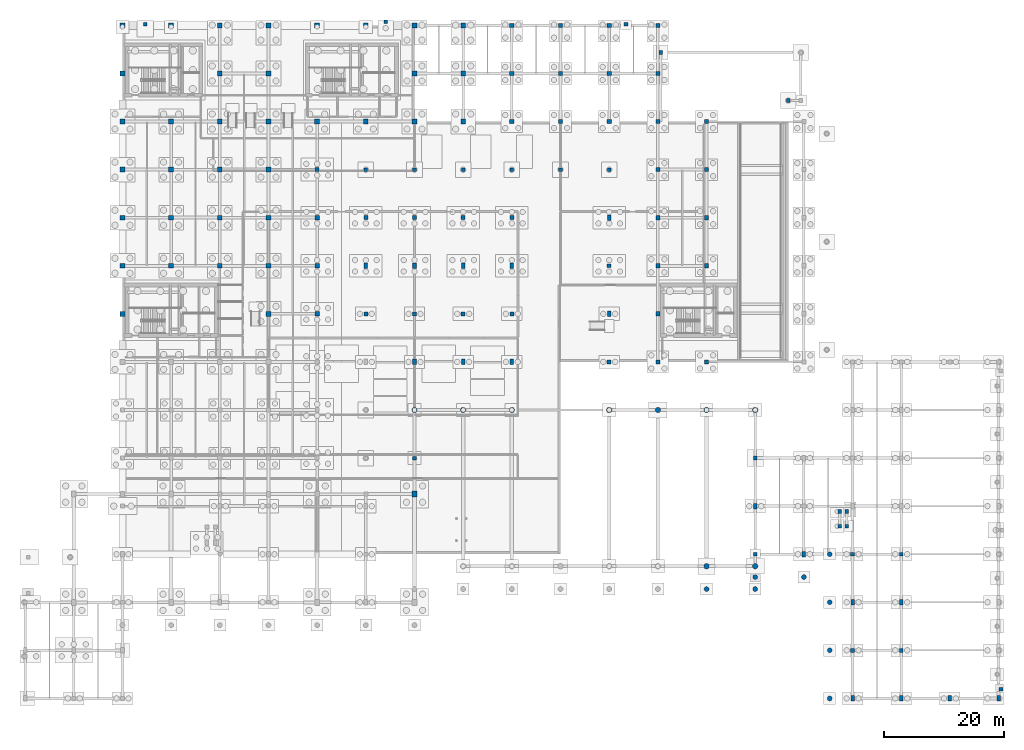
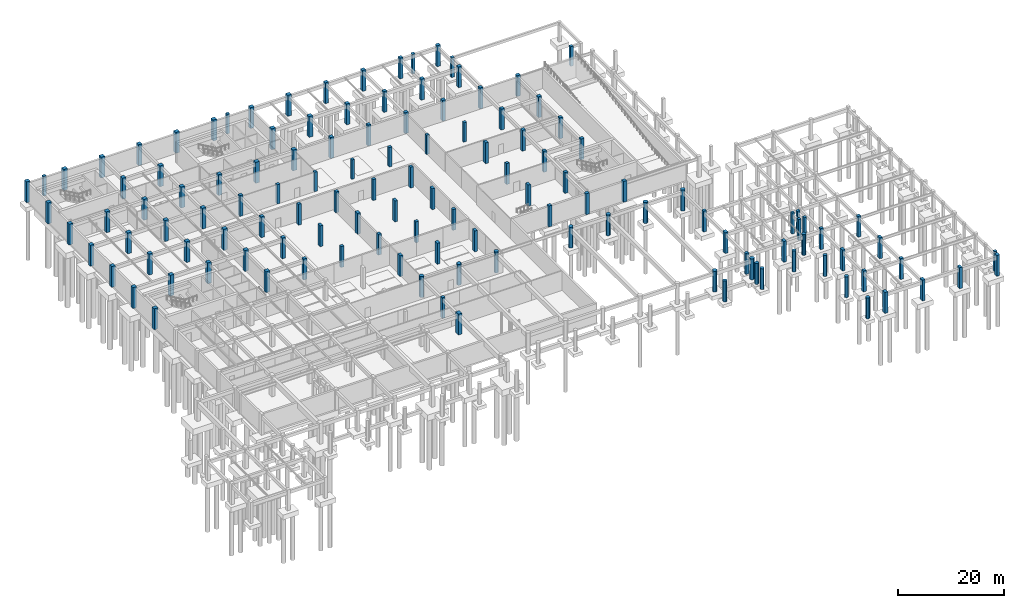
# One storey, part 9 of 25: 129 columns.
"""IFC4 building model written with IfcOpenShell, lengths in metres."""

from ifc_helpers import new_model, si_unit, direction, frame, origin, origin_2d, place, context, subcontext, project, spatial, rectangle, circle, extrude, material, material_profile, profile_set, type_object, element, save


model = new_model("IFC4")

# Units and contexts
model_context = context("Model", 3, precision=1e-05, world=origin(), true_north=direction((0.0, 1.0)))
body_context = subcontext(model_context, "Body", "Model", "MODEL_VIEW")
ifc_project = project(units=[si_unit("LENGTHUNIT", "METRE"), si_unit("AREAUNIT", "SQUARE_METRE"), si_unit("VOLUMEUNIT", "CUBIC_METRE"), si_unit("PLANEANGLEUNIT", "RADIAN"), si_unit("MASSUNIT", "GRAM", prefix="KILO")], contexts=[model_context])

# Site, building, storey
site_placement = place(None, origin())
site = spatial("IfcSite", under=ifc_project, at=site_placement, CompositionType="ELEMENT")
building_placement = place(site_placement, origin())
building = spatial("IfcBuilding", under=site, at=building_placement, Name="Tarnveldt Square Police Headquarters", CompositionType="ELEMENT")
storey_placement = place(building_placement, frame((0.0, 0.0, -4.800048828125)))
storey = spatial("IfcBuildingStorey", under=building, at=storey_placement, Name="B1", CompositionType="ELEMENT", Elevation=-4.800048828125)

# Columns
ifc_material_1 = material(Name="Concrete 40 MPa", Category="concrete")
ifc_material_profile_1 = material_profile(ifc_material_1, circle(Radius=0.39990234375, at=origin_2d()), Name="RC-D800")
ifc_profile_set_1 = profile_set([ifc_material_profile_1], Name="Concrete 40 MPa")
column_type_1 = type_object("IfcColumnType", Name="COL-D800", PredefinedType="COLUMN", material=ifc_profile_set_1)
for number, where, z_axis, x_axis, name in (
    (1, (113.39990234375, 18.199951171875, 0.0), (0.0, 0.0, 1.0), (1.0, 0.0, 0.0), "Colonnade Foundation Pier 14"),
    (2, (121.5, 18.199951171875, 0.0), (0.0, 0.0, 1.0), (1.0, 0.0, 0.0), "Colonnade Foundation Pier 15"),
    (3, (121.5, 20.199951171875, 0.0), (0.0, 0.0, 1.0), (1.0, 0.0, 0.0), "Colonnade Foundation Pier 16"),
    (4, (129.60009765625, 20.199951171875, 0.0), (0.0, 0.0, 1.0), (1.0, 0.0, 0.0), "Colonnade Foundation Pier 17"),
    (5, (133.89990234375, 0.0, 0.0), (0.0, 0.0, 1.0), (1.0, 0.0, 0.0), "Colonnade Foundation Pier 18"),
    (6, (133.89990234375, 8.0, 0.0), (0.0, 0.0, 1.0), (1.0, 0.0, 0.0), "Colonnade Foundation Pier 19"),
    (7, (133.89990234375, 16.0, 0.0), (0.0, 0.0, 1.0), (1.0, 0.0, 0.0), "Colonnade Foundation Pier 20"),
    (8, (133.89990234375, 24.0, 0.0), (0.0, 0.0, 1.0), (1.0, 0.0, 0.0), "Colonnade Foundation Pier 21"),
):
    element("IfcColumn", number, at=place(storey_placement, frame(where, z_axis=z_axis, x_axis=x_axis)), inside=storey, type_object=column_type_1, Name=name, PredefinedType="COLUMN", context=body_context, shape_type="SweptSolid", body=[
        extrude(circle(Radius=0.39990234375, at=origin_2d()), origin(), (0.0, 0.0, 1.0), 4.800048828125),
    ])
ifc_material_2 = material(Name="Concrete 50 MPa", Category="concrete")
ifc_material_profile_2 = material_profile(ifc_material_2, circle(Radius=0.449951171875, at=origin_2d()), Name="RC-D900")
ifc_profile_set_2 = profile_set([ifc_material_profile_2], Name="Concrete 50 MPa")
column_type_2 = type_object("IfcColumnType", Name="COL-D900", PredefinedType="COLUMN", material=ifc_profile_set_2)
for number, where, z_axis, x_axis, name in (
    (9, (64.800048828125, 48.0, 0.0), (0.0, 0.0, 1.0), (1.0, 0.0, 0.0), "B1 Column 098"),
    (10, (72.89990234375, 48.0, 0.0), (0.0, 0.0, 1.0), (1.0, 0.0, 0.0), "B1 Column 108"),
    (11, (81.0, 48.0, 0.0), (0.0, 0.0, 1.0), (1.0, 0.0, 0.0), "B1 Column 118"),
    (12, (97.199951171875, 48.0, 0.0), (0.0, 0.0, 1.0), (1.0, 0.0, 0.0), "B1 Column 133"),
    (13, (105.300048828125, 48.0, 0.0), (0.0, 0.0, 1.0), (1.0, 0.0, 0.0), "B1 Column 144"),
    (14, (113.39990234375, 22.0, 0.0), (0.0, 0.0, 1.0), (1.0, 0.0, 0.0), "B1 Column 154"),
    (15, (113.39990234375, 48.0, 0.0), (0.0, 0.0, 1.0), (1.0, 0.0, 0.0), "B1 Column 155"),
    (16, (121.5, 22.0, 0.0), (0.0, 0.0, 1.0), (1.0, 0.0, 0.0), "B1 Column 161"),
    (17, (121.5, 48.0, 0.0), (0.0, 0.0, 1.0), (1.0, 0.0, 0.0), "B1 Column 165"),
):
    element("IfcColumn", number, at=place(storey_placement, frame(where, z_axis=z_axis, x_axis=x_axis)), inside=storey, type_object=column_type_2, Name=name, PredefinedType="COLUMN", context=body_context, shape_type="SweptSolid", body=[
        extrude(circle(Radius=0.449951171875, at=origin_2d()), origin(), (0.0, 0.0, 1.0), 4.800048828125),
    ])
ifc_material_profile_3 = material_profile(ifc_material_1, rectangle(XDim=0.60009765625, YDim=0.60009765625, at=origin_2d()), Name="RC-C600x600")
ifc_profile_set_3 = profile_set([ifc_material_profile_3], Name="Concrete 40 MPa")
column_type_3 = type_object("IfcColumnType", Name="COL-RC600", PredefinedType="COLUMN", material=ifc_profile_set_3)
column_1_placement = place(storey_placement, frame((20.0, 112.199951171875, 0.0), z_axis=(0.0, 0.0, 1.0), x_axis=(1.0, 0.0, 0.0)))
element("IfcColumn", 18, at=column_1_placement, inside=storey, type_object=column_type_3, Name="B1 Column 028", PredefinedType="COLUMN", context=body_context, shape_type="SweptSolid", body=[
    extrude(rectangle(XDim=0.60009765625, YDim=0.60009765625, at=origin_2d()), origin(), (0.0, 0.0, 1.0), 4.510009765625),
])
column_2_placement = place(storey_placement, frame((56.699951171875, 88.0, 0.0), z_axis=(0.0, 0.0, 1.0), x_axis=(1.0, 0.0, 0.0)))
element("IfcColumn", 19, at=column_2_placement, inside=storey, type_object=column_type_3, Name="B1 Column 091", PredefinedType="COLUMN", context=body_context, shape_type="SweptSolid", body=[
    extrude(rectangle(XDim=0.60009765625, YDim=0.60009765625, at=origin_2d()), origin(), (0.0, 0.0, 1.0), 4.449951171875),
])
column_3_placement = place(storey_placement, frame((60.0, 112.60009765625, 0.0), z_axis=(0.0, 0.0, 1.0), x_axis=(1.0, 0.0, 0.0)))
element("IfcColumn", 20, at=column_3_placement, inside=storey, type_object=column_type_3, Name="B1 Column 094", PredefinedType="COLUMN", context=body_context, shape_type="SweptSolid", body=[
    extrude(rectangle(XDim=0.60009765625, YDim=0.60009765625, at=origin_2d()), origin(), (0.0, 0.0, 1.0), 4.510009765625),
])
column_4_placement = place(storey_placement, frame((64.800048828125, 40.0, 0.0), z_axis=(0.0, 0.0, 1.0), x_axis=(1.0, 0.0, 0.0)))
element("IfcColumn", 21, at=column_4_placement, inside=storey, type_object=column_type_3, Name="B1 Column 097", PredefinedType="COLUMN", context=body_context, shape_type="SweptSolid", body=[
    extrude(rectangle(XDim=0.60009765625, YDim=0.60009765625, at=origin_2d()), origin(), (0.0, 0.0, 1.0), 4.800048828125),
])
for number, where, z_axis, x_axis, name in (
    (22, (64.800048828125, 88.0, 0.0), (0.0, 0.0, 1.0), (1.0, 0.0, 0.0), "B1 Column 103"),
    (23, (72.89990234375, 88.0, 0.0), (0.0, 0.0, 1.0), (1.0, 0.0, 0.0), "B1 Column 113"),
    (24, (81.0, 88.0, 0.0), (0.0, 0.0, 1.0), (1.0, 0.0, 0.0), "B1 Column 123"),
    (25, (89.10009765625, 88.0, 0.0), (0.0, 0.0, 1.0), (1.0, 0.0, 0.0), "B1 Column 128"),
    (26, (97.199951171875, 88.0, 0.0), (0.0, 0.0, 1.0), (1.0, 0.0, 0.0), "B1 Column 138"),
):
    element("IfcColumn", number, at=place(storey_placement, frame(where, z_axis=z_axis, x_axis=x_axis)), inside=storey, type_object=column_type_3, Name=name, PredefinedType="COLUMN", context=body_context, shape_type="SweptSolid", body=[
        extrude(rectangle(XDim=0.60009765625, YDim=0.60009765625, at=origin_2d()), origin(), (0.0, 0.0, 1.0), 4.449951171875),
    ])
for number, where, z_axis, x_axis, name in (
    (27, (100.0, 112.199951171875, 0.0), (0.0, 0.0, 1.0), (1.0, 0.0, 0.0), "B1 Column 142"),
    (28, (105.800048828125, 107.5, 0.0), (0.0, 0.0, 1.0), (1.0, 0.0, 0.0), "B1 Column 153"),
    (29, (127.0, 99.5, 0.0), (0.0, 0.0, 1.0), (1.0, 0.0, 0.0), "B1 Column 166"),
):
    element("IfcColumn", number, at=place(storey_placement, frame(where, z_axis=z_axis, x_axis=x_axis)), inside=storey, type_object=column_type_3, Name=name, PredefinedType="COLUMN", context=body_context, shape_type="SweptSolid", body=[
        extrude(rectangle(XDim=0.60009765625, YDim=0.60009765625, at=origin_2d()), origin(), (0.0, 0.0, 1.0), 4.510009765625),
    ])
for number, where, z_axis, x_axis, name in (
    (30, (135.550048828125, 28.679931640625, 0.0), (0.0, 0.0, 1.0), (1.0, 0.0, 0.0), "B1 Column 181"),
    (31, (135.550048828125, 31.10009765625, 0.0), (0.0, 0.0, 1.0), (1.0, 0.0, 0.0), "B1 Column 182"),
    (32, (136.75, 28.679931640625, 0.0), (0.0, 0.0, 1.0), (1.0, 0.0, 0.0), "B1 Column 183"),
    (33, (136.75, 31.10009765625, 0.0), (0.0, 0.0, 1.0), (1.0, 0.0, 0.0), "B1 Column 184"),
):
    element("IfcColumn", number, at=place(storey_placement, frame(where, z_axis=z_axis, x_axis=x_axis)), inside=storey, type_object=column_type_3, Name=name, PredefinedType="COLUMN", context=body_context, shape_type="SweptSolid", body=[
        extrude(rectangle(XDim=0.60009765625, YDim=0.60009765625, at=origin_2d()), origin(), (0.0, 0.0, 1.0), 4.800048828125),
    ])
column_5_placement = place(storey_placement, frame((162.39990234375, 1.5, 0.0), z_axis=(0.0, 0.0, 1.0), x_axis=(1.0, 0.0, 0.0)))
element("IfcColumn", 34, at=column_5_placement, inside=storey, type_object=column_type_3, Name="B1 Column 211", PredefinedType="COLUMN", context=body_context, shape_type="SweptSolid", body=[
    extrude(rectangle(XDim=0.60009765625, YDim=0.60009765625, at=origin_2d()), origin(), (0.0, 0.0, 1.0), 4.510009765625),
])
ifc_material_profile_4 = material_profile(ifc_material_2, rectangle(XDim=0.60009765625, YDim=0.89990234375, at=origin_2d()), Name="RC-C600x900")
ifc_profile_set_4 = profile_set([ifc_material_profile_4], Name="Concrete 50 MPa")
column_type_4 = type_object("IfcColumnType", Name="COL-RC600x900", PredefinedType="COLUMN", material=ifc_profile_set_4)
for number, where, z_axis, x_axis, name in (
    (35, (56.699951171875, 72.0, 0.0), (0.0, 0.0, 1.0), (1.0, 0.0, 0.0), "B1 Column 089"),
    (36, (64.800048828125, 56.0, 0.0), (0.0, 0.0, 1.0), (1.0, 0.0, 0.0), "B1 Column 099"),
    (37, (64.800048828125, 72.0, 0.0), (0.0, 0.0, 1.0), (1.0, 0.0, 0.0), "B1 Column 101"),
    (38, (72.89990234375, 56.0, 0.0), (0.0, 0.0, 1.0), (1.0, 0.0, 0.0), "B1 Column 109"),
    (39, (72.89990234375, 72.0, 0.0), (0.0, 0.0, 1.0), (1.0, 0.0, 0.0), "B1 Column 111"),
    (40, (81.0, 56.0, 0.0), (0.0, 0.0, 1.0), (1.0, 0.0, 0.0), "B1 Column 119"),
    (41, (81.0, 72.0, 0.0), (0.0, 0.0, 1.0), (1.0, 0.0, 0.0), "B1 Column 121"),
    (42, (97.199951171875, 64.0, 0.0), (0.0, 0.0, 1.0), (1.0, 0.0, 0.0), "B1 Column 135"),
    (43, (97.199951171875, 80.0, 0.0), (0.0, 0.0, 1.0), (1.0, 0.0, 0.0), "B1 Column 137"),
    (44, (121.5, 32.0, 0.0), (0.0, 0.0, 1.0), (1.0, 0.0, 0.0), "B1 Column 163"),
    (45, (129.60009765625, 24.0, 0.0), (0.0, 0.0, 1.0), (1.0, 0.0, 0.0), "B1 Column 169"),
    (46, (137.699951171875, 0.0, 0.0), (0.0, 0.0, 1.0), (1.0, 0.0, 0.0), "B1 Column 185"),
    (47, (137.699951171875, 16.0, 0.0), (0.0, 0.0, 1.0), (1.0, 0.0, 0.0), "B1 Column 187"),
    (48, (145.800048828125, 0.0, 0.0), (0.0, 0.0, 1.0), (1.0, 0.0, 0.0), "B1 Column 193"),
    (49, (145.800048828125, 16.0, 0.0), (0.0, 0.0, 1.0), (1.0, 0.0, 0.0), "B1 Column 195"),
    (50, (153.89990234375, 0.0, 0.0), (0.0, 0.0, 1.0), (1.0, 0.0, 0.0), "B1 Column 201"),
    (51, (162.0, 0.0, 0.0), (0.0, 0.0, 1.0), (1.0, 0.0, 0.0), "B1 Column 203"),
):
    element("IfcColumn", number, at=place(storey_placement, frame(where, z_axis=z_axis, x_axis=x_axis)), inside=storey, type_object=column_type_4, Name=name, PredefinedType="COLUMN", context=body_context, shape_type="SweptSolid", body=[
        extrude(rectangle(XDim=0.60009765625, YDim=0.89990234375, at=origin_2d()), origin(), (0.0, 0.0, 1.0), 4.800048828125),
    ])
ifc_material_profile_5 = material_profile(ifc_material_2, rectangle(XDim=0.64990234375, YDim=0.64990234375, at=origin_2d()), Name="RC-C650x650")
ifc_profile_set_5 = profile_set([ifc_material_profile_5], Name="Concrete 50 MPa")
column_type_5 = type_object("IfcColumnType", Name="COL-RC650", PredefinedType="COLUMN", material=ifc_profile_set_5)
for number, where, z_axis, x_axis, name in (
    (52, (48.60009765625, 88.0, 0.0), (0.0, 0.0, 1.0), (1.0, 0.0, 0.0), "B1 Column 078"),
    (53, (56.699951171875, 64.0, 0.0), (0.0, 0.0, 1.0), (1.0, 0.0, 0.0), "B1 Column 088"),
    (54, (56.699951171875, 80.0, 0.0), (0.0, 0.0, 1.0), (1.0, 0.0, 0.0), "B1 Column 090"),
    (55, (64.800048828125, 64.0, 0.0), (0.0, 0.0, 1.0), (1.0, 0.0, 0.0), "B1 Column 100"),
    (56, (64.800048828125, 80.0, 0.0), (0.0, 0.0, 1.0), (1.0, 0.0, 0.0), "B1 Column 102"),
    (57, (72.89990234375, 64.0, 0.0), (0.0, 0.0, 1.0), (1.0, 0.0, 0.0), "B1 Column 110"),
    (58, (72.89990234375, 80.0, 0.0), (0.0, 0.0, 1.0), (1.0, 0.0, 0.0), "B1 Column 112"),
    (59, (81.0, 64.0, 0.0), (0.0, 0.0, 1.0), (1.0, 0.0, 0.0), "B1 Column 120"),
    (60, (81.0, 80.0, 0.0), (0.0, 0.0, 1.0), (1.0, 0.0, 0.0), "B1 Column 122"),
    (61, (97.199951171875, 56.0, 0.0), (0.0, 0.0, 1.0), (1.0, 0.0, 0.0), "B1 Column 134"),
    (62, (97.199951171875, 72.0, 0.0), (0.0, 0.0, 1.0), (1.0, 0.0, 0.0), "B1 Column 136"),
    (63, (121.5, 24.0, 0.0), (0.0, 0.0, 1.0), (1.0, 0.0, 0.0), "B1 Column 162"),
    (64, (121.5, 40.0, 0.0), (0.0, 0.0, 1.0), (1.0, 0.0, 0.0), "B1 Column 164"),
    (65, (137.699951171875, 8.0, 0.0), (0.0, 0.0, 1.0), (1.0, 0.0, 0.0), "B1 Column 186"),
    (66, (137.699951171875, 24.0, 0.0), (0.0, 0.0, 1.0), (1.0, 0.0, 0.0), "B1 Column 188"),
    (67, (145.800048828125, 8.0, 0.0), (0.0, 0.0, 1.0), (1.0, 0.0, 0.0), "B1 Column 194"),
    (68, (145.800048828125, 24.0, 0.0), (0.0, 0.0, 1.0), (1.0, 0.0, 0.0), "B1 Column 196"),
):
    element("IfcColumn", number, at=place(storey_placement, frame(where, z_axis=z_axis, x_axis=x_axis)), inside=storey, type_object=column_type_5, Name=name, PredefinedType="COLUMN", context=body_context, shape_type="SweptSolid", body=[
        extrude(rectangle(XDim=0.64990234375, YDim=0.64990234375, at=origin_2d()), origin(), (0.0, 0.0, 1.0), 4.800048828125),
    ])
ifc_material_profile_6 = material_profile(ifc_material_2, rectangle(XDim=0.699951171875, YDim=0.699951171875, at=origin_2d()), Name="RC-C700x700")
ifc_profile_set_6 = profile_set([ifc_material_profile_6], Name="Concrete 50 MPa")
column_type_6 = type_object("IfcColumnType", Name="COL-RC700", PredefinedType="COLUMN", material=ifc_profile_set_6)
for number, where, z_axis, x_axis, name in (
    (69, (48.60009765625, 64.0, 0.0), (0.0, 0.0, 1.0), (1.0, 0.0, 0.0), "B1 Column 075"),
    (70, (48.60009765625, 72.0, 0.0), (0.0, 0.0, 1.0), (1.0, 0.0, 0.0), "B1 Column 076"),
    (71, (48.60009765625, 80.0, 0.0), (0.0, 0.0, 1.0), (1.0, 0.0, 0.0), "B1 Column 077"),
    (72, (81.0, 96.0, 0.0), (0.0, 0.0, 1.0), (1.0, 0.0, 0.0), "B1 Column 124"),
    (73, (81.0, 104.0, 0.0), (0.0, 0.0, 1.0), (1.0, 0.0, 0.0), "B1 Column 125"),
    (74, (81.0, 112.0, 0.0), (0.0, 0.0, 1.0), (1.0, 0.0, 0.0), "B1 Column 126"),
    (75, (89.10009765625, 96.0, 0.0), (0.0, 0.0, 1.0), (1.0, 0.0, 0.0), "B1 Column 129"),
    (76, (89.10009765625, 104.0, 0.0), (0.0, 0.0, 1.0), (1.0, 0.0, 0.0), "B1 Column 130"),
    (77, (89.10009765625, 112.0, 0.0), (0.0, 0.0, 1.0), (1.0, 0.0, 0.0), "B1 Column 131"),
    (78, (97.199951171875, 96.0, 0.0), (0.0, 0.0, 1.0), (1.0, 0.0, 0.0), "B1 Column 139"),
    (79, (97.199951171875, 104.0, 0.0), (0.0, 0.0, 1.0), (1.0, 0.0, 0.0), "B1 Column 140"),
    (80, (97.199951171875, 112.0, 0.0), (0.0, 0.0, 1.0), (1.0, 0.0, 0.0), "B1 Column 141"),
    (81, (105.300048828125, 56.0, 0.0), (0.0, 0.0, 1.0), (1.0, 0.0, 0.0), "B1 Column 145"),
    (82, (105.300048828125, 64.0, 0.0), (0.0, 0.0, 1.0), (1.0, 0.0, 0.0), "B1 Column 146"),
    (83, (105.300048828125, 72.0, 0.0), (0.0, 0.0, 1.0), (1.0, 0.0, 0.0), "B1 Column 147"),
    (84, (105.300048828125, 80.0, 0.0), (0.0, 0.0, 1.0), (1.0, 0.0, 0.0), "B1 Column 148"),
    (85, (105.300048828125, 88.0, 0.0), (0.0, 0.0, 1.0), (1.0, 0.0, 0.0), "B1 Column 149"),
    (86, (105.300048828125, 96.0, 0.0), (0.0, 0.0, 1.0), (1.0, 0.0, 0.0), "B1 Column 150"),
    (87, (105.300048828125, 104.0, 0.0), (0.0, 0.0, 1.0), (1.0, 0.0, 0.0), "B1 Column 151"),
    (88, (105.300048828125, 112.0, 0.0), (0.0, 0.0, 1.0), (1.0, 0.0, 0.0), "B1 Column 152"),
    (89, (113.39990234375, 56.0, 0.0), (0.0, 0.0, 1.0), (1.0, 0.0, 0.0), "B1 Column 156"),
    (90, (113.39990234375, 72.0, 0.0), (0.0, 0.0, 1.0), (1.0, 0.0, 0.0), "B1 Column 157"),
    (91, (113.39990234375, 80.0, 0.0), (0.0, 0.0, 1.0), (1.0, 0.0, 0.0), "B1 Column 158"),
    (92, (113.39990234375, 88.0, 0.0), (0.0, 0.0, 1.0), (1.0, 0.0, 0.0), "B1 Column 159"),
    (93, (113.39990234375, 96.0, 0.0), (0.0, 0.0, 1.0), (1.0, 0.0, 0.0), "B1 Column 160"),
):
    element("IfcColumn", number, at=place(storey_placement, frame(where, z_axis=z_axis, x_axis=x_axis)), inside=storey, type_object=column_type_6, Name=name, PredefinedType="COLUMN", context=body_context, shape_type="SweptSolid", body=[
        extrude(rectangle(XDim=0.699951171875, YDim=0.699951171875, at=origin_2d()), origin(), (0.0, 0.0, 1.0), 4.800048828125),
    ])
ifc_material_profile_7 = material_profile(ifc_material_2, rectangle(XDim=0.75, YDim=1.0, at=origin_2d()), Name="RC-C750x1000")
ifc_profile_set_7 = profile_set([ifc_material_profile_7], Name="Concrete 50 MPa")
column_type_7 = type_object("IfcColumnType", Name="COL-RC750x1000", PredefinedType="COLUMN", material=ifc_profile_set_7)
column_6_placement = place(storey_placement, frame((64.800048828125, 34.0, 0.0), z_axis=(0.0, 0.0, 1.0), x_axis=(1.0, 0.0, 0.0)))
element("IfcColumn", 94, at=column_6_placement, inside=storey, type_object=column_type_7, Name="B1 Column 096", PredefinedType="COLUMN", context=body_context, shape_type="SweptSolid", body=[
    extrude(rectangle(XDim=0.75, YDim=1.0, at=origin_2d()), origin(), (0.0, 0.0, 1.0), 4.800048828125),
])
ifc_material_profile_8 = material_profile(ifc_material_2, rectangle(XDim=0.800048828125, YDim=0.800048828125, at=origin_2d()), Name="RC-C800x800")
ifc_profile_set_8 = profile_set([ifc_material_profile_8], Name="Concrete 50 MPa")
column_type_8 = type_object("IfcColumnType", Name="COL-RC800", PredefinedType="COLUMN", material=ifc_profile_set_8)
for number, where, z_axis, x_axis, name in (
    (95, (16.199951171875, 64.0, 0.0), (0.0, 0.0, 1.0), (1.0, 0.0, 0.0), "B1 Column 021"),
    (96, (16.199951171875, 72.0, 0.0), (0.0, 0.0, 1.0), (1.0, 0.0, 0.0), "B1 Column 022"),
    (97, (16.199951171875, 80.0, 0.0), (0.0, 0.0, 1.0), (1.0, 0.0, 0.0), "B1 Column 023"),
    (98, (16.199951171875, 88.0, 0.0), (0.0, 0.0, 1.0), (1.0, 0.0, 0.0), "B1 Column 024"),
    (99, (16.199951171875, 96.0, 0.0), (0.0, 0.0, 1.0), (1.0, 0.0, 0.0), "B1 Column 025"),
    (100, (16.199951171875, 104.0, 0.0), (0.0, 0.0, 1.0), (1.0, 0.0, 0.0), "B1 Column 026"),
    (101, (16.199951171875, 112.0, 0.0), (0.0, 0.0, 1.0), (1.0, 0.0, 0.0), "B1 Column 027"),
    (102, (24.300048828125, 72.0, 0.0), (0.0, 0.0, 1.0), (1.0, 0.0, 0.0), "B1 Column 034"),
    (103, (24.300048828125, 80.0, 0.0), (0.0, 0.0, 1.0), (1.0, 0.0, 0.0), "B1 Column 035"),
    (104, (24.300048828125, 88.0, 0.0), (0.0, 0.0, 1.0), (1.0, 0.0, 0.0), "B1 Column 036"),
    (105, (24.300048828125, 96.0, 0.0), (0.0, 0.0, 1.0), (1.0, 0.0, 0.0), "B1 Column 037"),
    (106, (24.300048828125, 112.0, 0.0), (0.0, 0.0, 1.0), (1.0, 0.0, 0.0), "B1 Column 038"),
    (107, (32.39990234375, 72.0, 0.0), (0.0, 0.0, 1.0), (1.0, 0.0, 0.0), "B1 Column 050"),
    (108, (32.39990234375, 80.0, 0.0), (0.0, 0.0, 1.0), (1.0, 0.0, 0.0), "B1 Column 051"),
    (109, (32.39990234375, 88.0, 0.0), (0.0, 0.0, 1.0), (1.0, 0.0, 0.0), "B1 Column 052"),
    (110, (32.39990234375, 96.0, 0.0), (0.0, 0.0, 1.0), (1.0, 0.0, 0.0), "B1 Column 053"),
    (111, (32.39990234375, 104.0, 0.0), (0.0, 0.0, 1.0), (1.0, 0.0, 0.0), "B1 Column 054"),
    (112, (32.39990234375, 112.0, 0.0), (0.0, 0.0, 1.0), (1.0, 0.0, 0.0), "B1 Column 055"),
    (113, (40.5, 64.0, 0.0), (0.0, 0.0, 1.0), (1.0, 0.0, 0.0), "B1 Column 063"),
    (114, (40.5, 72.0, 0.0), (0.0, 0.0, 1.0), (1.0, 0.0, 0.0), "B1 Column 064"),
    (115, (40.5, 80.0, 0.0), (0.0, 0.0, 1.0), (1.0, 0.0, 0.0), "B1 Column 065"),
    (116, (40.5, 88.0, 0.0), (0.0, 0.0, 1.0), (1.0, 0.0, 0.0), "B1 Column 066"),
    (117, (40.5, 96.0, 0.0), (0.0, 0.0, 1.0), (1.0, 0.0, 0.0), "B1 Column 067"),
    (118, (40.5, 104.0, 0.0), (0.0, 0.0, 1.0), (1.0, 0.0, 0.0), "B1 Column 068"),
    (119, (40.5, 112.0, 0.0), (0.0, 0.0, 1.0), (1.0, 0.0, 0.0), "B1 Column 069"),
    (120, (48.60009765625, 96.0, 0.0), (0.0, 0.0, 1.0), (1.0, 0.0, 0.0), "B1 Column 079"),
    (121, (48.60009765625, 112.0, 0.0), (0.0, 0.0, 1.0), (1.0, 0.0, 0.0), "B1 Column 080"),
    (122, (56.699951171875, 96.0, 0.0), (0.0, 0.0, 1.0), (1.0, 0.0, 0.0), "B1 Column 092"),
    (123, (56.699951171875, 112.0, 0.0), (0.0, 0.0, 1.0), (1.0, 0.0, 0.0), "B1 Column 093"),
    (124, (64.800048828125, 96.0, 0.0), (0.0, 0.0, 1.0), (1.0, 0.0, 0.0), "B1 Column 104"),
    (125, (64.800048828125, 104.0, 0.0), (0.0, 0.0, 1.0), (1.0, 0.0, 0.0), "B1 Column 105"),
    (126, (64.800048828125, 112.0, 0.0), (0.0, 0.0, 1.0), (1.0, 0.0, 0.0), "B1 Column 106"),
    (127, (72.89990234375, 96.0, 0.0), (0.0, 0.0, 1.0), (1.0, 0.0, 0.0), "B1 Column 114"),
    (128, (72.89990234375, 104.0, 0.0), (0.0, 0.0, 1.0), (1.0, 0.0, 0.0), "B1 Column 115"),
    (129, (72.89990234375, 112.0, 0.0), (0.0, 0.0, 1.0), (1.0, 0.0, 0.0), "B1 Column 116"),
):
    element("IfcColumn", number, at=place(storey_placement, frame(where, z_axis=z_axis, x_axis=x_axis)), inside=storey, type_object=column_type_8, Name=name, PredefinedType="COLUMN", context=body_context, shape_type="SweptSolid", body=[
        extrude(rectangle(XDim=0.800048828125, YDim=0.800048828125, at=origin_2d()), origin(), (0.0, 0.0, 1.0), 4.800048828125),
    ])

save(model, "model.ifc")
